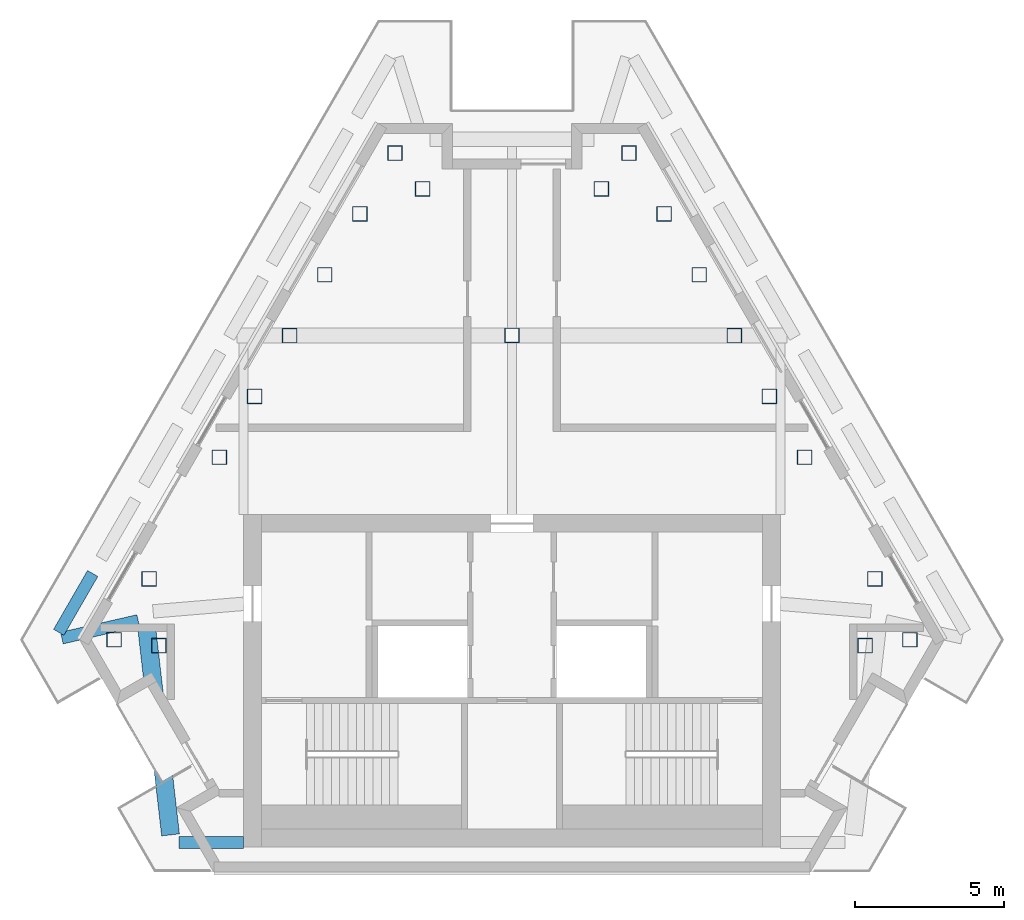
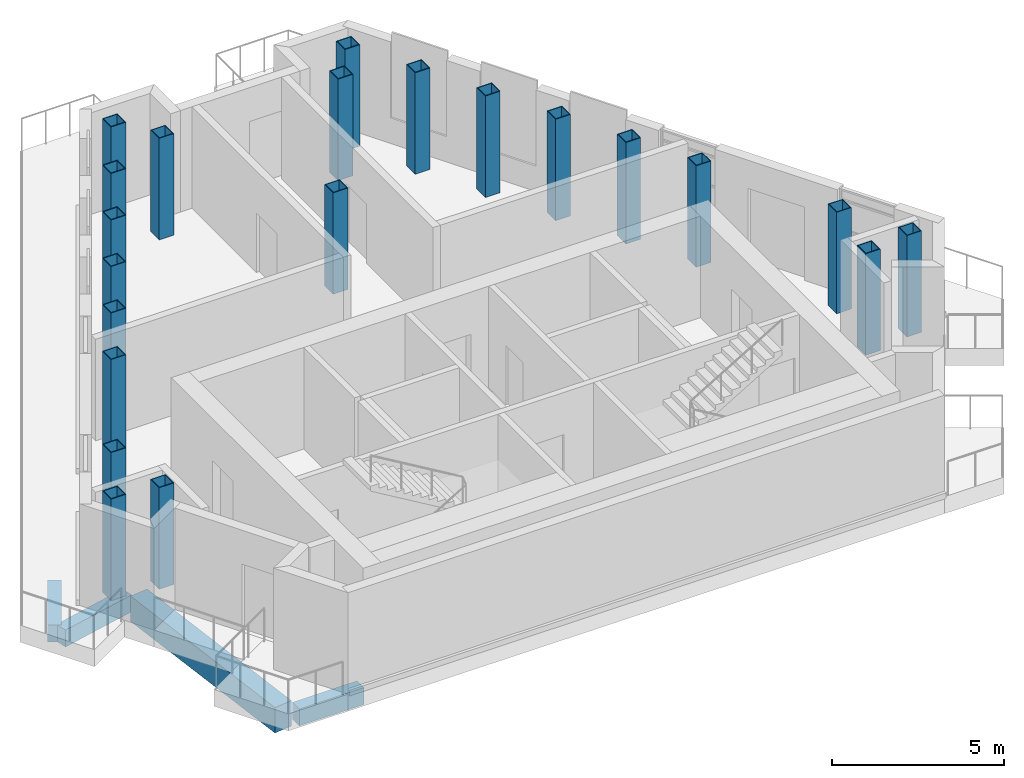
# One storey, part 1 of 7: 21 columns, 4 beams.
"""IFC4 building model written with IfcOpenShell, lengths in metres."""

import ifcopenshell
import ifcopenshell.guid

model = None  # the IFC model being written
_history = None  # IfcOwnerHistory: only IFC2X3 demands one
_inside = {}  # id of a spatial element -> (the spatial element, [elements in it])
_under = {}  # id of a project, library or spatial element -> (it, [spatial elements below it])
_declared = {}  # id of a project -> (the project, [libraries it declares])
_typed = {}  # id of a type object -> (the type object, [elements of that type])
_made_of = {}  # id of a material, layer set ... -> (it, [elements and type objects made of it])


def new_model(schema):
    """Start an empty IFC model of exactly this schema.

    Asked for "IFC4X3", IfcOpenShell would pick the latest addendum, in which some entities
    have other attributes; the version numbers below select the first issue.
    IFC2X3 requires an IfcOwnerHistory on every rooted entity: one is made here for all.
    """
    global model, _history
    if schema == "IFC4X3":
        model = ifcopenshell.file(schema_version=(4, 3, 0, 0))
    else:
        model = ifcopenshell.file(schema=schema)
    _inside.clear()
    _under.clear()
    _declared.clear()
    _typed.clear()
    _made_of.clear()
    _history = None
    if model.schema == "IFC2X3":
        org = make("IfcOrganization", Name="unknown")
        user = make(
            "IfcPersonAndOrganization",
            ThePerson=make("IfcPerson", FamilyName="unknown"),
            TheOrganization=org,
        )
        app = make(
            "IfcApplication",
            ApplicationDeveloper=org,
            Version="unknown",
            ApplicationFullName="unknown",
            ApplicationIdentifier="unknown",
        )
        _history = make(
            "IfcOwnerHistory",
            OwningUser=user,
            OwningApplication=app,
            ChangeAction="ADDED",
            CreationDate=0,
        )
    return model


def make(cls, **values):
    """One entity of the class cls with the attributes given. An attribute that is None is left unset."""
    return model.create_entity(
        cls, **{name: value for name, value in values.items() if value is not None}
    )


def rooted(cls, **values):
    """An entity with a GlobalId (a new one), such as an element, a storey or a relation."""
    return make(cls, GlobalId=ifcopenshell.guid.new(), OwnerHistory=_history, **values)


def si_unit(unit_type, name, prefix=None):
    """IfcSIUnit, for example si_unit("LENGTHUNIT", "METRE", prefix="MILLI")."""
    return make("IfcSIUnit", UnitType=unit_type, Prefix=prefix, Name=name)


def assignment(units):
    """IfcUnitAssignment: the units of a project."""
    return None if units is None else make("IfcUnitAssignment", Units=units)


def point(xyz):
    """IfcCartesianPoint."""
    return None if xyz is None else make("IfcCartesianPoint", Coordinates=xyz)


def direction(xyz):
    """IfcDirection."""
    return None if xyz is None else make("IfcDirection", DirectionRatios=xyz)


def frame(location, z_axis=None, x_axis=None):
    """IfcAxis2Placement3D, a coordinate frame: its origin and axes. An axis left out is left unset."""
    return make(
        "IfcAxis2Placement3D",
        Location=point(location),
        Axis=direction(z_axis),
        RefDirection=direction(x_axis),
    )


def frame_2d(location, x_axis=None):
    """IfcAxis2Placement2D, a coordinate frame in the plane: its origin and x axis."""
    return make(
        "IfcAxis2Placement2D", Location=point(location), RefDirection=direction(x_axis)
    )


def origin():
    """The frame at (0, 0, 0) with its axes left unset."""
    return frame((0.0, 0.0, 0.0))


def origin_2d():
    """The frame at (0, 0) in the plane with its x axis left unset."""
    return frame_2d((0.0, 0.0))


def place(relative_to, where):
    """IfcLocalPlacement: puts the frame where relative to a parent placement (None: the world)."""
    return make(
        "IfcLocalPlacement", PlacementRelTo=relative_to, RelativePlacement=where
    )


def context(
    kind, dimensions, precision=None, world=None, true_north=None, identifier=None
):
    """IfcGeometricRepresentationContext, for example the 3D "Model" context."""
    return make(
        "IfcGeometricRepresentationContext",
        ContextIdentifier=identifier,
        ContextType=kind,
        CoordinateSpaceDimension=dimensions,
        Precision=precision,
        WorldCoordinateSystem=world,
        TrueNorth=true_north,
    )


def subcontext(parent, identifier, kind, view, scale=None):
    """IfcGeometricRepresentationSubContext, for example "Body" below "Model"."""
    return make(
        "IfcGeometricRepresentationSubContext",
        ContextIdentifier=identifier,
        ContextType=kind,
        ParentContext=parent,
        TargetScale=scale,
        TargetView=view,
    )


def project(units=None, contexts=None):
    """IfcProject with its units and contexts."""
    return rooted(
        "IfcProject",
        Name="project",
        RepresentationContexts=contexts,
        UnitsInContext=assignment(units),
    )


def spatial(cls, under=None, at=None, **own):
    """A site, building, storey or space (cls), placed at a placement, below another one or the project."""
    s = rooted(cls, ObjectPlacement=at, **own)
    if under is not None:
        _under.setdefault(under.id(), (under, []))[1].append(s)
    return s


def profile(cls, at=None, kind="AREA", **sizes):
    """A parametric profile (cls). Its sizes go by their IFC names, for example OverallWidth=200.0."""
    return make(cls, ProfileType=kind, Position=at, **sizes)


def rectangle(**sizes):
    """IfcRectangleProfileDef."""
    return profile("IfcRectangleProfileDef", **sizes)


def hollow_rectangle(**sizes):
    """IfcRectangleHollowProfileDef."""
    return profile("IfcRectangleHollowProfileDef", **sizes)


def extrude(swept, where, along, depth):
    """IfcExtrudedAreaSolid: the profile swept, set in the frame where, extruded along a direction by depth."""
    return make(
        "IfcExtrudedAreaSolid",
        SweptArea=swept,
        Position=where,
        ExtrudedDirection=direction(along),
        Depth=depth,
    )


def shape(context_of_items, identifier, shape_type, items):
    """IfcShapeRepresentation: the items that make up one representation, for example the "Body"."""
    return make(
        "IfcShapeRepresentation",
        ContextOfItems=context_of_items,
        RepresentationIdentifier=identifier,
        RepresentationType=shape_type,
        Items=items,
    )


def material(Name=None, Category=None):
    """IfcMaterial."""
    return make("IfcMaterial", Name=Name, Category=Category)


def material_profile(
    of_material, cross_section, Name=None, Category=None, Priority=None
):
    """IfcMaterialProfile: a cross section and its material."""
    return make(
        "IfcMaterialProfile",
        Name=Name,
        Material=of_material,
        Profile=cross_section,
        Priority=Priority,
        Category=Category,
    )


def profile_set(profiles, Name=None, composite=None):
    """IfcMaterialProfileSet."""
    return make(
        "IfcMaterialProfileSet",
        Name=Name,
        MaterialProfiles=profiles,
        CompositeProfile=composite,
    )


def made_of(thing, what):
    """Note that an element or type object is made of a material, layer set ...; save() writes the relation."""
    if what is not None:
        _made_of.setdefault(what.id(), (what, []))[1].append(thing)
    return thing


def type_object(cls, material=None, **own):
    """A type object (cls), such as IfcWallType, which elements share."""
    return made_of(rooted(cls, **own), material)


def element(
    cls,
    number,
    at=None,
    inside=None,
    cuts=None,
    type_object=None,
    material=None,
    context=None,
    identifier="Body",
    shape_type=None,
    held_by="IfcProductDefinitionShape",
    body=None,
    shapes=None,
    **own,
):
    """One element of the class cls, such as IfcWall. Its Tag is "e" and its number.

    at: its placement. inside: the storey or other place that contains it. cuts: it is an
    opening in that element (IfcRelVoidsElement). A single representation is given by context,
    identifier, shape_type and body (its items); several are given by shapes. held_by: the class
    of the entity that holds the representations. save() writes the other relations.
    """
    e = rooted(cls, Tag="e%d" % number, ObjectPlacement=at, **own)
    if body is not None:
        shapes = [shape(context, identifier, shape_type, body)]
    if shapes is not None:
        e.Representation = make(held_by, Representations=shapes)
    if inside is not None:
        _inside.setdefault(inside.id(), (inside, []))[1].append(e)
    if cuts is not None:
        rooted(
            "IfcRelVoidsElement", RelatingBuildingElement=cuts, RelatedOpeningElement=e
        )
    if type_object is not None:
        _typed.setdefault(type_object.id(), (type_object, []))[1].append(e)
    return made_of(e, material)


def aggregate(whole, parts):
    """IfcRelAggregates: a whole, such as a stair, and the parts it consists of."""
    return rooted("IfcRelAggregates", RelatingObject=whole, RelatedObjects=parts)


def save(model, path):
    """Write the relations noted so far, then the file.

    IfcRelAggregates (storeys below a building ...), IfcRelContainedInSpatialStructure (elements
    in a storey), IfcRelDefinesByType, IfcRelAssociatesMaterial and IfcRelDeclares: one each for
    every whole, place, type object, material and project.
    """
    for whole, parts in _under.values():
        aggregate(whole, parts)
    for where, things in _inside.values():
        rooted(
            "IfcRelContainedInSpatialStructure",
            RelatedElements=things,
            RelatingStructure=where,
        )
    for kind, things in _typed.values():
        rooted("IfcRelDefinesByType", RelatedObjects=things, RelatingType=kind)
    for what, things in _made_of.values():
        rooted("IfcRelAssociatesMaterial", RelatedObjects=things, RelatingMaterial=what)
    for by, libraries in _declared.values():
        rooted("IfcRelDeclares", RelatingContext=by, RelatedDefinitions=libraries)
    model.write(path)


model = new_model("IFC4")

# Units and contexts
model_context = context("Model", 3, precision=1e-05, world=origin(), true_north=direction((0.0, 1.0)))
body_context = subcontext(model_context, "Body", "Model", "MODEL_VIEW")
ifc_project = project(units=[si_unit("LENGTHUNIT", "METRE"), si_unit("AREAUNIT", "SQUARE_METRE"), si_unit("VOLUMEUNIT", "CUBIC_METRE"), si_unit("PLANEANGLEUNIT", "RADIAN"), si_unit("MASSUNIT", "GRAM", prefix="KILO")], contexts=[model_context])

# Site, building, storey
site_placement = place(None, origin())
site = spatial("IfcSite", under=ifc_project, at=site_placement, CompositionType="ELEMENT")
building_placement = place(site_placement, origin())
building = spatial("IfcBuilding", under=site, at=building_placement, Name="Fogline Exchange Tower", CompositionType="ELEMENT")
storey_placement = place(building_placement, frame((0.0, 0.0, 359.60009765625)))
storey = spatial("IfcBuildingStorey", under=building, at=storey_placement, Name="L81", CompositionType="ELEMENT", Elevation=359.60009765625)

# Columns
ifc_material_1 = material(Name="Steel Q355B", Category="steel")
ifc_material_profile_1 = material_profile(ifc_material_1, hollow_rectangle(XDim=0.5, YDim=0.5, WallThickness=0.02490234375, at=origin_2d()), Name="BOX500X500X25")
ifc_profile_set_1 = profile_set([ifc_material_profile_1], Name="Steel Q355B")
column_type = type_object("IfcColumnType", Name="C09", PredefinedType="COLUMN", material=ifc_profile_set_1)
for number, where, z_axis, x_axis, name in (
    (1, (-13.34521484375, 7.794189453125, 0.0), (0.0, 0.0, 1.0), (1.0, 0.0, 0.0), "SW-a"),
    (2, (-11.8447265625, 7.59521484375, 0.0), (0.0, 0.0, 1.0), (1.0, 0.0, 0.0), "SW-p4"),
    (3, (11.8447265625, 7.59521484375, 0.0), (0.0, 0.0, 1.0), (1.0, 0.0, 0.0), "SE-p3"),
    (4, (13.34521484375, 7.794189453125, 0.0), (0.0, 0.0, 1.0), (1.0, 0.0, 0.0), "SE-b"),
    (5, (12.16748046875, 9.834228515625, 0.0), (0.0, 0.0, 1.0), (1.0, 0.0, 0.0), "E1"),
    (6, (9.811767578125, 13.914306640625, 0.0), (0.0, 0.0, 1.0), (1.0, 0.0, 0.0), "E3"),
    (7, (8.634033203125, 15.95458984375, 0.0), (0.0, 0.0, 1.0), (1.0, 0.0, 0.0), "E4"),
    (8, (7.4560546875, 17.994384765625, 0.0), (0.0, 0.0, 1.0), (1.0, 0.0, 0.0), "E5"),
    (9, (6.2783203125, 20.03466796875, 0.0), (0.0, 0.0, 1.0), (1.0, 0.0, 0.0), "E6"),
    (10, (5.1005859375, 22.07470703125, 0.0), (0.0, 0.0, 1.0), (1.0, 0.0, 0.0), "E7"),
    (11, (3.922607421875, 24.11474609375, 0.0), (0.0, 0.0, 1.0), (1.0, 0.0, 0.0), "N-a"),
    (12, (3.0, 22.914794921875, 0.0), (0.0, 0.0, 1.0), (1.0, 0.0, 0.0), "N-p4"),
    (13, (-3.0, 22.914794921875, 0.0), (0.0, 0.0, 1.0), (1.0, 0.0, 0.0), "N-p3"),
    (14, (-3.922607421875, 24.11474609375, 0.0), (0.0, 0.0, 1.0), (1.0, 0.0, 0.0), "N-b"),
    (15, (-5.1005859375, 22.07470703125, 0.0), (0.0, 0.0, 1.0), (1.0, 0.0, 0.0), "W1"),
    (16, (-6.2783203125, 20.03466796875, 0.0), (0.0, 0.0, 1.0), (1.0, 0.0, 0.0), "W2"),
    (17, (-7.4560546875, 17.994384765625, 0.0), (0.0, 0.0, 1.0), (1.0, 0.0, 0.0), "W3"),
    (18, (-8.634033203125, 15.95458984375, 0.0), (0.0, 0.0, 1.0), (1.0, 0.0, 0.0), "W4"),
    (19, (-9.811767578125, 13.914306640625, 0.0), (0.0, 0.0, 1.0), (1.0, 0.0, 0.0), "W5"),
    (20, (-12.16748046875, 9.834228515625, 0.0), (0.0, 0.0, 1.0), (1.0, 0.0, 0.0), "W7"),
    (21, (0.0, 18.0, 0.0), (0.0, 0.0, 1.0), (1.0, 0.0, 0.0), "CI18-1"),
):
    element("IfcColumn", number, at=place(storey_placement, frame(where, z_axis=z_axis, x_axis=x_axis)), inside=storey, type_object=column_type, Name=name, PredefinedType="COLUMN", context=body_context, shape_type="SweptSolid", body=[
        extrude(hollow_rectangle(XDim=0.5, YDim=0.5, WallThickness=0.02490234375, at=origin_2d()), origin(), (0.0, 0.0, 1.0), 3.599853515625),
    ])

# Beams
ifc_material_2 = material(Name="Concrete C40", Category="concrete")
ifc_material_profile_2 = material_profile(ifc_material_2, rectangle(XDim=0.60009765625, YDim=0.89990234375, at=origin_2d()), Name="RC 600x900")
ifc_profile_set_2 = profile_set([ifc_material_profile_2], Name="Concrete C40")
beam_type_1 = type_object("IfcBeamType", Name="B09", PredefinedType="BEAM", material=ifc_profile_set_2)
beam_1_placement = place(storey_placement, frame((-12.257080078125, 8.2451171875, -1.050048828125), z_axis=(0.114418804643, -0.993432603222, 0.0), x_axis=(0.993432603222, 0.114418804643, 0.0)))
element("IfcBeam", 22, at=beam_1_placement, inside=storey, type_object=beam_type_1, Name="RB002", PredefinedType="BEAM", context=body_context, shape_type="SweptSolid", body=[
    extrude(rectangle(XDim=0.60009765625, YDim=0.89990234375, at=origin_2d()), origin(), (0.0, 0.0, 1.0), 7.041259765625),
])
ifc_material_profile_3 = material_profile(ifc_material_2, rectangle(XDim=0.39990234375, YDim=0.60009765625, at=origin_2d()), Name="RC 400x600")
ifc_profile_set_3 = profile_set([ifc_material_profile_3], Name="Concrete C40")
beam_type_2 = type_object("IfcBeamType", Name="B11", PredefinedType="BEAM", material=ifc_profile_set_3)
beam_2_placement = place(storey_placement, frame((-15.09521484375, 7.8515625, -0.900146484375), z_axis=(0.974739488252, 0.223344867956, 0.0), x_axis=(-0.223344867956, 0.974739488252, 0.0)))
element("IfcBeam", 23, at=beam_2_placement, inside=storey, type_object=beam_type_2, Name="RB001", PredefinedType="BEAM", context=body_context, shape_type="SweptSolid", body=[
    extrude(rectangle(XDim=0.39990234375, YDim=0.60009765625, at=origin_2d()), origin(), (0.0, 0.0, 1.0), 2.625732421875),
])
beam_3_placement = place(storey_placement, frame((-11.172607421875, 1.0, -0.900146484375), z_axis=(1.0, 0.0, 0.0), x_axis=(0.0, 1.0, 0.0)))
element("IfcBeam", 24, at=beam_3_placement, inside=storey, type_object=beam_type_2, Name="RB003", PredefinedType="BEAM", context=body_context, shape_type="SweptSolid", body=[
    extrude(rectangle(XDim=0.39990234375, YDim=0.60009765625, at=origin_2d()), origin(), (0.0, 0.0, 1.0), 2.172607421875),
])
beam_4_placement = place(storey_placement, frame((-14.061767578125, 10.017333984375, -0.900146484375), z_axis=(-0.499988356774, -0.8660321259, 0.0), x_axis=(0.8660321259, -0.499988356774, 0.0)))
element("IfcBeam", 25, at=beam_4_placement, inside=storey, type_object=beam_type_2, Name="RB025", PredefinedType="BEAM", context=body_context, shape_type="SweptSolid", body=[
    extrude(rectangle(XDim=0.39990234375, YDim=0.60009765625, at=origin_2d()), origin(), (0.0, 0.0, 1.0), 2.2783203125),
])

save(model, "model.ifc")
